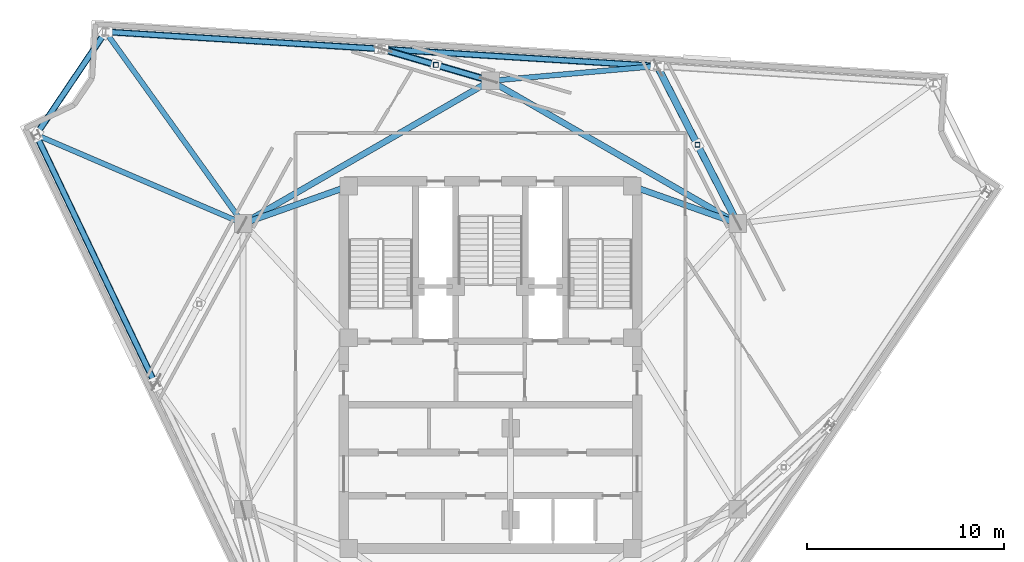
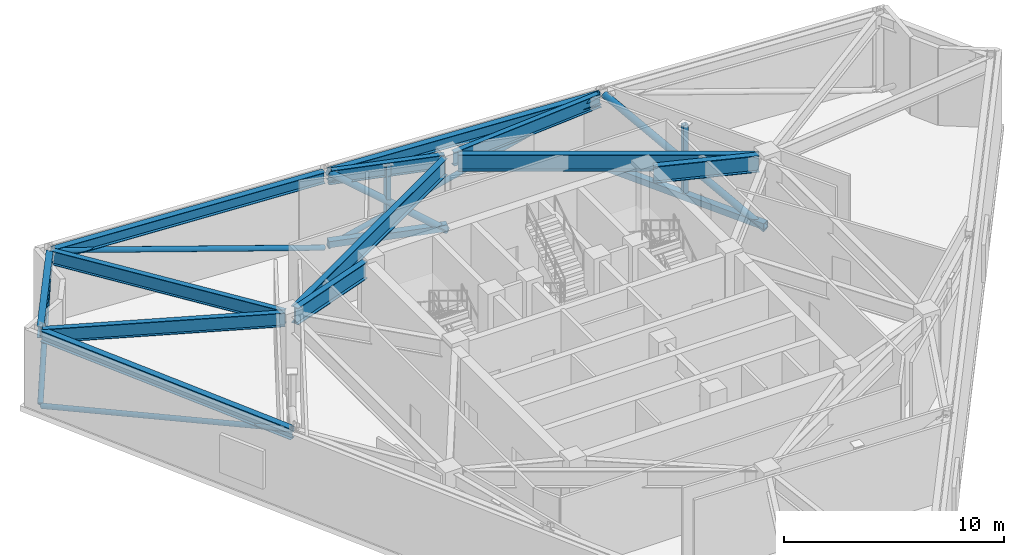
# One storey, part 6 of 11: 12 beams, 10 members.
"""IFC4 building model written with IfcOpenShell, lengths in metres."""

from ifc_helpers import new_model, si_unit, direction, frame, origin, origin_2d, place, context, subcontext, project, spatial, hollow_rectangle, hollow_circle, i_section, extrude, material, material_profile, profile_set, type_object, element, save


model = new_model("IFC4")

# Units and contexts
model_context = context("Model", 3, precision=1e-05, world=origin(), true_north=direction((0.0, 1.0)))
body_context = subcontext(model_context, "Body", "Model", "MODEL_VIEW")
ifc_project = project(units=[si_unit("LENGTHUNIT", "METRE"), si_unit("AREAUNIT", "SQUARE_METRE"), si_unit("VOLUMEUNIT", "CUBIC_METRE"), si_unit("PLANEANGLEUNIT", "RADIAN"), si_unit("MASSUNIT", "GRAM", prefix="KILO")], contexts=[model_context])

# Site, building, storey
site_placement = place(None, origin())
site = spatial("IfcSite", under=ifc_project, at=site_placement, CompositionType="ELEMENT")
building_placement = place(site_placement, origin())
building = spatial("IfcBuilding", under=site, at=building_placement, Name="Apsidion Concourse Tower", CompositionType="ELEMENT")
storey_placement = place(building_placement, frame((0.0, 0.0, 328.0)))
storey = spatial("IfcBuildingStorey", under=building, at=storey_placement, Name="L77", CompositionType="ELEMENT", Elevation=328.0)

# Beams
ifc_material_1 = material(Name="Structural steel ASTM A992 Grade 50", Category="steel")
ifc_material_profile_1 = material_profile(ifc_material_1, i_section(OverallWidth=0.31005859375, OverallDepth=0.931884765625, WebThickness=0.02099609375, FlangeThickness=0.034423828125, at=origin_2d()), Name="W36X210")
ifc_profile_set_1 = profile_set([ifc_material_profile_1], Name="Structural steel ASTM A992 Grade 50")
beam_type_1 = type_object("IfcBeamType", Name="BM-G-W36", PredefinedType="USERDEFINED", material=ifc_profile_set_1)
for number, where, z_axis, x_axis, name in (
    (1, (12.18310546875, 7.383544921875, 3.81396484375), (-0.942533844539, 0.334110688094, 0.0), (-0.334110688094, -0.942533844539, 0.0), "L77 Core Coupling Girder IC3-SC4"),
    (2, (-12.18310546875, 7.383544921875, 3.81396484375), (0.942533844539, 0.334110688094, 0.0), (-0.334110688094, 0.942533844539, 0.0), "L77 Core Coupling Girder IC5-SC5"),
):
    element("IfcBeam", number, at=place(storey_placement, frame(where, z_axis=z_axis, x_axis=x_axis)), inside=storey, type_object=beam_type_1, Name=name, ObjectType="GIRDER", PredefinedType="USERDEFINED", context=body_context, shape_type="SweptSolid", body=[
        extrude(i_section(OverallWidth=0.31005859375, OverallDepth=0.931884765625, WebThickness=0.02099609375, FlangeThickness=0.034423828125, at=origin_2d()), origin(), (0.0, 0.0, 1.0), 4.886962890625),
    ])
for number, where, z_axis, x_axis, name in (
    (3, (-12.213623046875, 7.449951171875, 3.81396484375), (0.866070471464, 0.499921932364, 0.0), (-0.499921932364, 0.866070471464, 0.0), "L77 Core Coupling Girder IC5-IC4"),
    (4, (0.346435546875, 14.300048828125, 3.81396484375), (0.866070471464, -0.499921932364, 0.0), (0.499921932364, 0.866070471464, 0.0), "L77 Core Coupling Girder IC4-IC3"),
):
    element("IfcBeam", number, at=place(storey_placement, frame(where, z_axis=z_axis, x_axis=x_axis)), inside=storey, type_object=beam_type_1, Name=name, ObjectType="GIRDER", PredefinedType="USERDEFINED", context=body_context, shape_type="SweptSolid", body=[
        extrude(i_section(OverallWidth=0.31005859375, OverallDepth=0.931884765625, WebThickness=0.02099609375, FlangeThickness=0.034423828125, at=origin_2d()), origin(), (0.0, 0.0, 1.0), 13.702392578125),
    ])
ifc_material_profile_2 = material_profile(ifc_material_1, i_section(OverallWidth=0.324951171875, OverallDepth=0.616943359375, WebThickness=0.013916015625, FlangeThickness=0.021484375, at=origin_2d()), Name="W24X117")
ifc_profile_set_2 = profile_set([ifc_material_profile_2], Name="Structural steel ASTM A992 Grade 50")
beam_type_2 = type_object("IfcBeamType", Name="BM-SP-W24", PredefinedType="SPANDREL", material=ifc_profile_set_2)
for number, where, z_axis, x_axis, name in (
    (5, (-23.0302734375, 11.66845703125, 3.971435546875), (0.431360581796, -0.902179609874, 0.0), (0.902179609874, 0.431360581796, 0.0), "L77 Perimeter Spandrel Girder SP-01"),
    (6, (8.36962890625, 15.254638671875, 3.971435546875), (-0.998076537228, 0.061993756414, 0.0), (-0.061993756414, -0.998076537228, 0.0), "L77 Perimeter Spandrel Girder SP-10"),
    (7, (-5.637939453125, 16.12451171875, 3.971435546875), (-0.998076537228, 0.061993756414, 0.0), (-0.061993756414, -0.998076537228, 0.0), "L77 Perimeter Spandrel Girder SP-11"),
):
    element("IfcBeam", number, at=place(storey_placement, frame(where, z_axis=z_axis, x_axis=x_axis)), inside=storey, type_object=beam_type_2, Name=name, PredefinedType="SPANDREL", context=body_context, shape_type="SweptSolid", body=[
        extrude(i_section(OverallWidth=0.324951171875, OverallDepth=0.616943359375, WebThickness=0.013916015625, FlangeThickness=0.021484375, at=origin_2d()), origin(), (0.0, 0.0, 1.0), 13.834716796875),
    ])
beam_1_placement = place(storey_placement, frame((-19.601806640625, 16.905517578125, 3.971435546875), z_axis=(-0.559174891641, -0.829049721403, 0.0), x_axis=(0.829049721403, -0.559174891641, 0.0)))
element("IfcBeam", 8, at=beam_1_placement, inside=storey, type_object=beam_type_2, Name="L77 Perimeter Spandrel Girder SP-12", PredefinedType="SPANDREL", context=body_context, shape_type="SweptSolid", body=[
    extrude(i_section(OverallWidth=0.324951171875, OverallDepth=0.616943359375, WebThickness=0.013916015625, FlangeThickness=0.021484375, at=origin_2d()), origin(), (0.0, 0.0, 1.0), 6.108154296875),
])
ifc_material_profile_3 = material_profile(ifc_material_1, i_section(OverallWidth=0.26806640625, OverallDepth=0.77001953125, WebThickness=0.015625, FlangeThickness=0.025390625, at=origin_2d()), Name="W30X132")
ifc_profile_set_3 = profile_set([ifc_material_profile_3], Name="Structural steel ASTM A992 Grade 50")
beam_type_3 = type_object("IfcBeamType", Name="BM-SP-W30", PredefinedType="SPANDREL", material=ifc_profile_set_3)
beam_2_placement = place(storey_placement, frame((-12.76220703125, 7.336669921875, 3.89501953125), z_axis=(-0.919050742632, 0.3941392298, 0.0), x_axis=(-0.3941392298, -0.919050742632, 0.0)))
element("IfcBeam", 9, at=beam_2_placement, inside=storey, type_object=beam_type_3, Name="L77 Radial Floor Girder RAD-01", PredefinedType="SPANDREL", context=body_context, shape_type="SweptSolid", body=[
    extrude(i_section(OverallWidth=0.26806640625, OverallDepth=0.77001953125, WebThickness=0.015625, FlangeThickness=0.025390625, at=origin_2d()), origin(), (0.0, 0.0, 1.0), 11.119384765625),
])
beam_3_placement = place(storey_placement, frame((0.218994140625, 14.519287109375, 3.89501953125), z_axis=(0.99611631584, 0.088047063082, 0.0), x_axis=(-0.088047063082, 0.99611631584, 0.0)))
element("IfcBeam", 10, at=beam_3_placement, inside=storey, type_object=beam_type_3, Name="L77 Radial Floor Girder RAD-10", PredefinedType="SPANDREL", context=body_context, shape_type="SweptSolid", body=[
    extrude(i_section(OverallWidth=0.26806640625, OverallDepth=0.77001953125, WebThickness=0.015625, FlangeThickness=0.025390625, at=origin_2d()), origin(), (0.0, 0.0, 1.0), 8.1826171875),
])
beam_4_placement = place(storey_placement, frame((-0.211181640625, 14.561767578125, 3.89501953125), z_axis=(-0.959858385002, 0.28048508114, 0.0), x_axis=(-0.28048508114, -0.959858385002, 0.0)))
element("IfcBeam", 11, at=beam_4_placement, inside=storey, type_object=beam_type_3, Name="L77 Radial Floor Girder RAD-11", PredefinedType="SPANDREL", context=body_context, shape_type="SweptSolid", body=[
    extrude(i_section(OverallWidth=0.26806640625, OverallDepth=0.77001953125, WebThickness=0.015625, FlangeThickness=0.025390625, at=origin_2d()), origin(), (0.0, 0.0, 1.0), 5.44970703125),
])
beam_5_placement = place(storey_placement, frame((-12.688232421875, 7.4287109375, 3.89501953125), z_axis=(-0.582890152065, 0.812550964941, 0.0), x_axis=(-0.812550964941, -0.582890152065, 0.0)))
element("IfcBeam", 12, at=beam_5_placement, inside=storey, type_object=beam_type_3, Name="L77 Radial Floor Girder RAD-12", PredefinedType="SPANDREL", context=body_context, shape_type="SweptSolid", body=[
    extrude(i_section(OverallWidth=0.26806640625, OverallDepth=0.77001953125, WebThickness=0.015625, FlangeThickness=0.025390625, at=origin_2d()), origin(), (0.0, 0.0, 1.0), 11.664794921875),
])

# Members
ifc_material_2 = material(Name="Structural steel ASTM A500 Grade C", Category="steel")
ifc_material_profile_4 = material_profile(ifc_material_2, hollow_circle(Radius=0.136474609375, WallThickness=0.01611328125, at=origin_2d()), Name="CHS273X16")
ifc_profile_set_4 = profile_set([ifc_material_profile_4], Name="Structural steel ASTM A500 Grade C")
member_type_1 = type_object("IfcMemberType", Name="MB-BR-CHS273", PredefinedType="BRACE", material=ifc_profile_set_4)
for number, where, z_axis, x_axis, name in (
    (13, (-23.0302734375, 11.66845703125, 0.0), (0.412925367784, -0.863622831886, 0.289220063076), (0.902179609874, 0.431360581796, 0.0), "L77 Perimeter Belt-Truss Diagonal BT-01"),
    (14, (-5.4384765625, 16.1123046875, 0.0), (0.955421078995, -0.059344288173, 0.289221052609), (0.061993756414, 0.998076537228, 0.0), "L77 Perimeter Belt-Truss Diagonal BT-10"),
    (15, (-5.637939453125, 16.12451171875, 0.0), (-0.955421078995, 0.059344288173, 0.289221052609), (-0.061993756414, -0.998076537228, 0.0), "L77 Perimeter Belt-Truss Diagonal BT-11"),
):
    element("IfcMember", number, at=place(storey_placement, frame(where, z_axis=z_axis, x_axis=x_axis)), inside=storey, type_object=member_type_1, Name=name, PredefinedType="BRACE", context=body_context, shape_type="SweptSolid", body=[
        extrude(hollow_circle(Radius=0.136474609375, WallThickness=0.01611328125, at=origin_2d()), origin(), (0.0, 0.0, 1.0), 14.452392578125),
    ])
member_1_placement = place(storey_placement, frame((-23.017333984375, 11.841552734375, 0.0), z_axis=(0.461467607048, 0.684185926046, 0.564745310955), x_axis=(-0.829049721403, 0.559174891641, 0.0)))
element("IfcMember", 16, at=member_1_placement, inside=storey, type_object=member_type_1, Name="L77 Perimeter Belt-Truss Diagonal BT-12", PredefinedType="BRACE", context=body_context, shape_type="SweptSolid", body=[
    extrude(hollow_circle(Radius=0.136474609375, WallThickness=0.01611328125, at=origin_2d()), origin(), (0.0, 0.0, 1.0), 7.4013671875),
])
ifc_material_profile_5 = material_profile(ifc_material_2, hollow_circle(Radius=0.177978515625, WallThickness=0.02001953125, at=origin_2d()), Name="CHS356X20")
ifc_profile_set_5 = profile_set([ifc_material_profile_5], Name="Structural steel ASTM A500 Grade C")
member_type_2 = type_object("IfcMemberType", Name="MB-BR-CHS356", PredefinedType="BRACE", material=ifc_profile_set_5)
member_2_placement = place(storey_placement, frame((12.514404296875, 7.339111328125, 0.0), z_axis=(-0.411153077403, 0.803934524195, 0.429700393005), x_axis=(-0.890321015971, -0.455333381732, 0.0)))
element("IfcMember", 17, at=member_2_placement, inside=storey, type_object=member_type_2, Name="L77 Radial Outrigger Truss Diagonal OT-03", PredefinedType="BRACE", context=body_context, shape_type="SweptSolid", body=[
    extrude(hollow_circle(Radius=0.177978515625, WallThickness=0.02001953125, at=origin_2d()), origin(), (0.0, 0.0, 1.0), 9.7275390625),
])
member_3_placement = place(storey_placement, frame((-0.095947265625, 14.528076171875, 0.0), z_axis=(-0.767713980834, 0.224340202912, 0.60023888327), x_axis=(-0.28048808935, -0.959857505952, 0.0)))
element("IfcMember", 18, at=member_3_placement, inside=storey, type_object=member_type_2, Name="L77 Radial Outrigger Truss Diagonal OT-04", PredefinedType="BRACE", context=body_context, shape_type="SweptSolid", body=[
    extrude(hollow_circle(Radius=0.177978515625, WallThickness=0.02001953125, at=origin_2d()), origin(), (0.0, 0.0, 1.0), 6.9638671875),
])
ifc_material_profile_6 = material_profile(ifc_material_2, hollow_rectangle(XDim=0.35009765625, YDim=0.35009765625, WallThickness=0.02197265625, at=origin_2d()), Name="HSS350X350X22")
ifc_profile_set_6 = profile_set([ifc_material_profile_6], Name="Structural steel ASTM A500 Grade C")
member_type_3 = type_object("IfcMemberType", Name="MB-CH-HSS350", PredefinedType="CHORD", material=ifc_profile_set_6)
member_4_placement = place(storey_placement, frame((12.514404296875, 7.339111328125, 0.219970703125), z_axis=(-0.455333381732, 0.890321015971, 0.0), x_axis=(-0.890321015971, -0.455333381732, 0.0)))
element("IfcMember", 19, at=member_4_placement, inside=storey, type_object=member_type_3, Name="L77 Radial Outrigger Bottom Chord OTC-03", PredefinedType="CHORD", context=body_context, shape_type="SweptSolid", body=[
    extrude(hollow_rectangle(XDim=0.35009765625, YDim=0.35009765625, WallThickness=0.02197265625, at=origin_2d()), origin(), (0.0, 0.0, 1.0), 8.78369140625),
])
member_5_placement = place(storey_placement, frame((-0.095947265625, 14.528076171875, 0.219970703125), z_axis=(-0.959857505952, 0.28048808935, 0.0), x_axis=(-0.28048808935, -0.959857505952, 0.0)))
element("IfcMember", 20, at=member_5_placement, inside=storey, type_object=member_type_3, Name="L77 Radial Outrigger Bottom Chord OTC-04", PredefinedType="CHORD", context=body_context, shape_type="SweptSolid", body=[
    extrude(hollow_rectangle(XDim=0.35009765625, YDim=0.35009765625, WallThickness=0.02197265625, at=origin_2d()), origin(), (0.0, 0.0, 1.0), 5.56982421875),
])
ifc_material_profile_7 = material_profile(ifc_material_2, hollow_rectangle(XDim=0.25, YDim=0.25, WallThickness=0.01611328125, at=origin_2d()), Name="HSS250X250X16")
ifc_profile_set_7 = profile_set([ifc_material_profile_7], Name="Structural steel ASTM A500 Grade C")
member_type_4 = type_object("IfcMemberType", Name="MB-ST-HSS250", PredefinedType="STRUT", material=ifc_profile_set_7)
for number, where, z_axis, x_axis, name in (
    (21, (10.5146484375, 11.249267578125, 0.219970703125), (0.0, 0.0, 1.0), (1.0, 0.0, 0.0), "L77 Outrigger Truss Compression Strut OTV-03"),
    (22, (-2.76904296875, 15.30908203125, 0.219970703125), (0.0, 0.0, 1.0), (1.0, 0.0, 0.0), "L77 Outrigger Truss Compression Strut OTV-04"),
):
    element("IfcMember", number, at=place(storey_placement, frame(where, z_axis=z_axis, x_axis=x_axis)), inside=storey, type_object=member_type_4, Name=name, PredefinedType="STRUT", context=body_context, shape_type="SweptSolid", body=[
        extrude(hollow_rectangle(XDim=0.25, YDim=0.25, WallThickness=0.01611328125, at=origin_2d()), origin(), (0.0, 0.0, 1.0), 3.9599609375),
    ])

save(model, "model.ifc")
